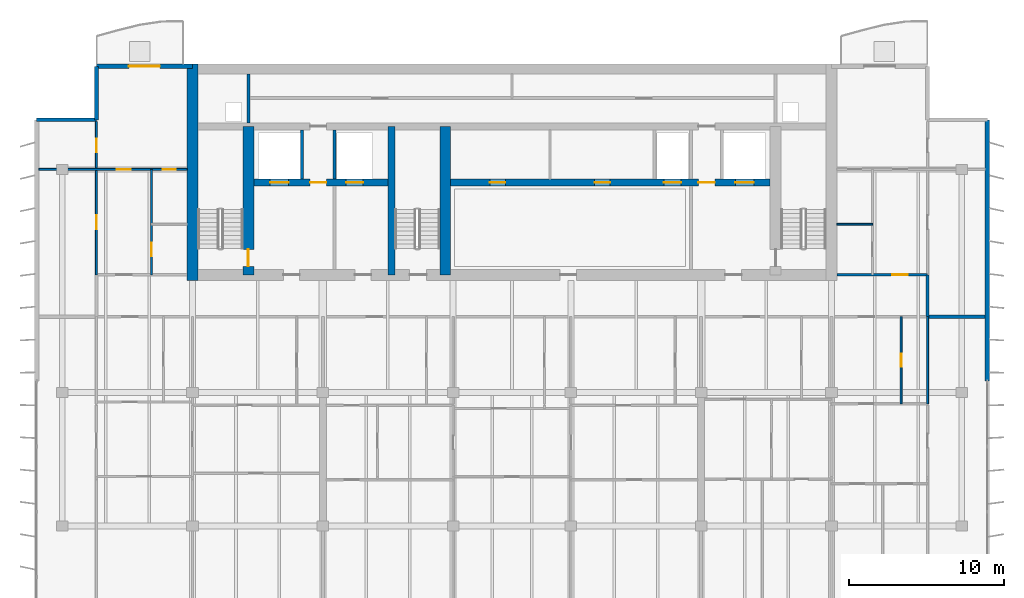
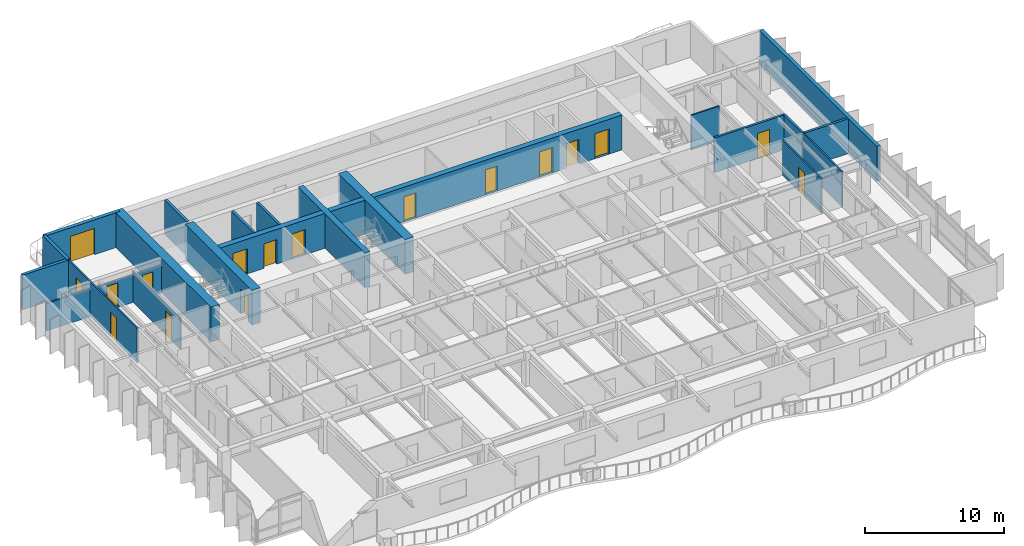
# One storey, part 11 of 19: 21 walls, 17 doors, 17 openings.
"""IFC4 building model written with IfcOpenShell, lengths in metres."""

from ifc_helpers import new_model, si_unit, direction, frame, frame_2d, origin, place, context, subcontext, project, spatial, rectangle, extrude, material, layer, layer_set, type_object, element, fill, save


model = new_model("IFC4")

# Units and contexts
model_context = context("Model", 3, precision=1e-05, world=origin(), true_north=direction((0.0, 1.0)))
body_context = subcontext(model_context, "Body", "Model", "MODEL_VIEW")
ifc_project = project(units=[si_unit("LENGTHUNIT", "METRE"), si_unit("AREAUNIT", "SQUARE_METRE"), si_unit("VOLUMEUNIT", "CUBIC_METRE"), si_unit("PLANEANGLEUNIT", "RADIAN"), si_unit("MASSUNIT", "GRAM", prefix="KILO")], contexts=[model_context])

# Site, building, storey
site_placement = place(None, origin())
site = spatial("IfcSite", under=ifc_project, at=site_placement, CompositionType="ELEMENT")
building_placement = place(site_placement, origin())
building = spatial("IfcBuilding", under=site, at=building_placement, Name="Caelmar Bay Residences", CompositionType="ELEMENT")
storey_placement = place(building_placement, frame((0.0, 0.0, 256.199951171875)))
storey = spatial("IfcBuildingStorey", under=building, at=storey_placement, Name="L72", CompositionType="ELEMENT", Elevation=256.199951171875)

# Wall
ifc_material_1 = material(Name="Concrete f'c 55 MPa (8,000 psi)", Category="concrete")
ifc_layer_1 = layer(ifc_material_1, 0.699951171875)
ifc_layer_set_1 = layer_set([ifc_layer_1], Name="Concrete f'c 55 MPa (8,000 psi)")
wall_type_1 = type_object("IfcWallType", Name="SW-COR-700", PredefinedType="SHEAR", material=ifc_layer_set_1)
wall_1_placement = place(storey_placement, frame((18.300048828125, 36.64990234375, 0.0), z_axis=(0.0, 0.0, 1.0), x_axis=(0.0, 1.0, 0.0)))
element("IfcWall", 1, at=wall_1_placement, inside=storey, type_object=wall_type_1, Name="L72 Rear Core West Shear Wall", PredefinedType="SHEAR", context=body_context, shape_type="SweptSolid", body=[
    extrude(rectangle(XDim=13.9501953125, YDim=0.699951171875, at=frame_2d((6.97509765625, 0.0))), origin(), (0.0, 0.0, 1.0), 3.050048828125),
])

# Wall, opening, door
wall_2_placement = place(storey_placement, frame((21.89990234375, 37.0, 0.0), z_axis=(0.0, 0.0, 1.0), x_axis=(0.0, 1.0, 0.0)))
wall_2 = element("IfcWall", 2, at=wall_2_placement, inside=storey, type_object=wall_type_1, Name="L72 Core Structural Web Wall ST1E", PredefinedType="SHEAR", context=body_context, shape_type="SweptSolid", body=[
    extrude(rectangle(XDim=9.574951171875, YDim=0.699951171875, at=frame_2d((4.78759765625, 0.0))), origin(), (0.0, 0.0, 1.0), 3.050048828125),
])
opening_1_placement = place(wall_2_placement, frame((0.550048828125, 0.0, 0.0)))
opening_1 = element("IfcOpeningElement", 3, at=opening_1_placement, cuts=wall_2, Name="Opening D-L72-107", PredefinedType="OPENING", context=body_context, shape_type="SweptSolid", body=[
    extrude(rectangle(XDim=1.10009765625, YDim=2.14990234375, at=frame_2d((0.550048828125, 1.074951171875))), frame((0.0, 0.35986328125, 0.0), z_axis=(0.0, -1.0, 0.0), x_axis=(1.0, 0.0, 0.0)), (0.0, 0.0, 1.0), 0.719970703125),
])
ifc_material_2 = material(Name="Fire-rated steel and walnut architectural door assembly", Category="steel")
ifc_layer_2 = layer(ifc_material_2, 0.050048828125)
ifc_layer_set_2 = layer_set([ifc_layer_2], Name="Fire-rated steel and walnut architectural door assembly")
door_type_1 = type_object("IfcDoorType", Name="D-STAIR-1100", OperationType="NOTDEFINED", PredefinedType="DOOR", material=ifc_layer_set_2)
door_1_placement = place(opening_1_placement, origin())
door_1 = element("IfcDoor", 4, at=door_1_placement, inside=storey, type_object=door_type_1, Name="L72 Firefighting Lobby West Door", OperationType="SINGLE_SWING_LEFT", OverallHeight=2.14990234375, OverallWidth=1.10009765625, PredefinedType="DOOR", context=body_context, shape_type="SweptSolid", body=[
    extrude(rectangle(XDim=1.10009765625, YDim=2.14990234375, at=frame_2d((0.550048828125, 1.074951171875))), frame((0.0, 0.02490234375, 0.0), z_axis=(0.0, -1.0, 0.0), x_axis=(1.0, 0.0, 0.0)), (0.0, 0.0, 1.0), 0.050048828125),
])
fill(opening_1, door_1)

# Walls
wall_3_placement = place(storey_placement, frame((34.60009765625, 37.0, 0.0), z_axis=(0.0, 0.0, 1.0), x_axis=(0.0, 1.0, 0.0)))
element("IfcWall", 5, at=wall_3_placement, inside=storey, type_object=wall_type_1, Name="L72 Core Structural Web Wall ST3E", PredefinedType="SHEAR", context=body_context, shape_type="SweptSolid", body=[
    extrude(rectangle(XDim=9.574951171875, YDim=0.699951171875, at=frame_2d((4.78759765625, 0.0))), origin(), (0.0, 0.0, 1.0), 3.050048828125),
])
ifc_material_3 = material(Name="Concrete f'c 70 MPa (10,000 psi)", Category="concrete")
ifc_layer_3 = layer(ifc_material_3, 0.449951171875)
ifc_layer_set_3 = layer_set([ifc_layer_3], Name="Concrete f'c 70 MPa (10,000 psi)")
wall_type_2 = type_object("IfcWallType", Name="SW-WEB-450", PredefinedType="SHEAR", material=ifc_layer_set_3)
wall_4_placement = place(storey_placement, frame((31.125, 37.0, 0.0), z_axis=(0.0, 0.0, 1.0), x_axis=(0.0, 1.0, 0.0)))
element("IfcWall", 6, at=wall_4_placement, inside=storey, type_object=wall_type_2, Name="L72 Core Structural Web Wall ST3W", PredefinedType="SHEAR", context=body_context, shape_type="SweptSolid", body=[
    extrude(rectangle(XDim=9.574951171875, YDim=0.449951171875, at=frame_2d((4.78759765625, 0.0))), origin(), (0.0, 0.0, 1.0), 3.050048828125),
])

# Wall, openings, doors
wall_5_placement = place(storey_placement, frame((22.25, 42.949951171875, 0.0), z_axis=(0.0, 0.0, 1.0), x_axis=(1.0, 0.0, 0.0)))
wall_5 = element("IfcWall", 7, at=wall_5_placement, inside=storey, type_object=wall_type_2, Name="L72 Core Structural Web Wall LFR", PredefinedType="SHEAR", context=body_context, shape_type="SweptSolid", body=[
    extrude(rectangle(XDim=33.300048828125, YDim=0.449951171875, at=frame_2d((16.64990234375, 0.0))), origin(), (0.0, 0.0, 1.0), 3.050048828125),
])
opening_2_placement = place(wall_5_placement, frame((1.050048828125, 0.0, 0.0)))
opening_2 = element("IfcOpeningElement", 8, at=opening_2_placement, cuts=wall_5, Name="Opening LD2", PredefinedType="OPENING", context=body_context, shape_type="SweptSolid", body=[
    extrude(rectangle(XDim=1.199951171875, YDim=2.199951171875, at=frame_2d((0.60009765625, 1.10009765625))), frame((0.0, 0.23486328125, 0.0), z_axis=(0.0, -1.0, 0.0), x_axis=(1.0, 0.0, 0.0)), (0.0, 0.0, 1.0), 0.469970703125),
])
opening_3_placement = place(wall_5_placement, frame((31.050048828125, 0.0, 0.0)))
opening_3 = element("IfcOpeningElement", 9, at=opening_3_placement, cuts=wall_5, Name="Opening LD2", PredefinedType="OPENING", context=body_context, shape_type="SweptSolid", body=[
    extrude(rectangle(XDim=1.199951171875, YDim=2.199951171875, at=frame_2d((0.60009765625, 1.10009765625))), frame((0.0, 0.23486328125, 0.0), z_axis=(0.0, -1.0, 0.0), x_axis=(1.0, 0.0, 0.0)), (0.0, 0.0, 1.0), 0.469970703125),
])
opening_4_placement = place(wall_5_placement, frame((26.449951171875, 0.0, 0.0)))
opening_4 = element("IfcOpeningElement", 10, at=opening_4_placement, cuts=wall_5, Name="Opening LD1", PredefinedType="OPENING", context=body_context, shape_type="SweptSolid", body=[
    extrude(rectangle(XDim=1.10009765625, YDim=2.199951171875, at=frame_2d((0.550048828125, 1.10009765625))), frame((0.0, 0.23486328125, 0.0), z_axis=(0.0, -1.0, 0.0), x_axis=(1.0, 0.0, 0.0)), (0.0, 0.0, 1.0), 0.469970703125),
])
opening_5_placement = place(wall_5_placement, frame((5.949951171875, 0.0, 0.0)))
opening_5 = element("IfcOpeningElement", 11, at=opening_5_placement, cuts=wall_5, Name="Opening LD1", PredefinedType="OPENING", context=body_context, shape_type="SweptSolid", body=[
    extrude(rectangle(XDim=1.10009765625, YDim=2.199951171875, at=frame_2d((0.550048828125, 1.10009765625))), frame((0.0, 0.23486328125, 0.0), z_axis=(0.0, -1.0, 0.0), x_axis=(1.0, 0.0, 0.0)), (0.0, 0.0, 1.0), 0.469970703125),
])
opening_6_placement = place(wall_5_placement, frame((3.625, 0.0, 0.0)))
opening_6 = element("IfcOpeningElement", 12, at=opening_6_placement, cuts=wall_5, Name="Opening D-L72-108", PredefinedType="OPENING", context=body_context, shape_type="SweptSolid", body=[
    extrude(rectangle(XDim=1.050048828125, YDim=2.14990234375, at=frame_2d((0.52490234375, 1.074951171875))), frame((0.0, 0.23486328125, 0.0), z_axis=(0.0, -1.0, 0.0), x_axis=(1.0, 0.0, 0.0)), (0.0, 0.0, 1.0), 0.469970703125),
])
opening_7_placement = place(wall_5_placement, frame((28.675048828125, 0.0, 0.0)))
opening_7 = element("IfcOpeningElement", 13, at=opening_7_placement, cuts=wall_5, Name="Opening D-L72-111", PredefinedType="OPENING", context=body_context, shape_type="SweptSolid", body=[
    extrude(rectangle(XDim=1.050048828125, YDim=2.14990234375, at=frame_2d((0.52490234375, 1.074951171875))), frame((0.0, 0.23486328125, 0.0), z_axis=(0.0, -1.0, 0.0), x_axis=(1.0, 0.0, 0.0)), (0.0, 0.0, 1.0), 0.469970703125),
])
opening_8_placement = place(wall_5_placement, frame((15.22509765625, 0.0, 0.0)))
opening_8 = element("IfcOpeningElement", 14, at=opening_8_placement, cuts=wall_5, Name="Opening D-L72-114", PredefinedType="OPENING", context=body_context, shape_type="SweptSolid", body=[
    extrude(rectangle(XDim=1.0, YDim=2.199951171875, at=frame_2d((0.5, 1.10009765625))), frame((0.0, 0.23486328125, 0.0), z_axis=(0.0, -1.0, 0.0), x_axis=(1.0, 0.0, 0.0)), (0.0, 0.0, 1.0), 0.469970703125),
])
opening_9_placement = place(wall_5_placement, frame((21.97509765625, 0.0, 0.0)))
opening_9 = element("IfcOpeningElement", 15, at=opening_9_placement, cuts=wall_5, Name="Opening D-L72-115", PredefinedType="OPENING", context=body_context, shape_type="SweptSolid", body=[
    extrude(rectangle(XDim=1.0, YDim=2.199951171875, at=frame_2d((0.5, 1.10009765625))), frame((0.0, 0.23486328125, 0.0), z_axis=(0.0, -1.0, 0.0), x_axis=(1.0, 0.0, 0.0)), (0.0, 0.0, 1.0), 0.469970703125),
])
ifc_layer_4 = layer(ifc_material_2, 0.050048828125)
ifc_layer_set_4 = layer_set([ifc_layer_4], Name="Fire-rated steel and walnut architectural door assembly")
door_type_2 = type_object("IfcDoorType", Name="D-FSAE-1050", OperationType="NOTDEFINED", PredefinedType="DOOR", material=ifc_layer_set_4)
door_2_placement = place(opening_6_placement, origin())
door_2 = element("IfcDoor", 16, at=door_2_placement, inside=storey, type_object=door_type_2, Name="L72 Firefighting Lobby West Door", OperationType="SINGLE_SWING_RIGHT", OverallHeight=2.14990234375, OverallWidth=1.050048828125, PredefinedType="DOOR", context=body_context, shape_type="SweptSolid", body=[
    extrude(rectangle(XDim=1.050048828125, YDim=2.14990234375, at=frame_2d((0.52490234375, 1.074951171875))), frame((0.0, 0.02490234375, 0.0), z_axis=(0.0, -1.0, 0.0), x_axis=(1.0, 0.0, 0.0)), (0.0, 0.0, 1.0), 0.050048828125),
])
fill(opening_6, door_2)
door_3_placement = place(opening_7_placement, origin())
door_3 = element("IfcDoor", 17, at=door_3_placement, inside=storey, type_object=door_type_2, Name="L72 Firefighting Lobby East Door", OperationType="SINGLE_SWING_LEFT", OverallHeight=2.14990234375, OverallWidth=1.050048828125, PredefinedType="DOOR", context=body_context, shape_type="SweptSolid", body=[
    extrude(rectangle(XDim=1.050048828125, YDim=2.14990234375, at=frame_2d((0.52490234375, 1.074951171875))), frame((0.0, 0.02490234375, 0.0), z_axis=(0.0, -1.0, 0.0), x_axis=(1.0, 0.0, 0.0)), (0.0, 0.0, 1.0), 0.050048828125),
])
fill(opening_7, door_3)
ifc_material_4 = material(Name="Brushed bronze stainless-steel fire-rated lift landing doors", Category="steel")
ifc_layer_5 = layer(ifc_material_4, 0.050048828125)
ifc_layer_set_5 = layer_set([ifc_layer_5], Name="Brushed bronze stainless-steel fire-rated lift landing doors")
door_type_3 = type_object("IfcDoorType", Name="D-LND-1100", OperationType="DOUBLE_DOOR_SLIDING", PredefinedType="DOOR", material=ifc_layer_set_5)
door_4_placement = place(opening_4_placement, origin())
door_4 = element("IfcDoor", 18, at=door_4_placement, inside=storey, type_object=door_type_3, Name="L72 LP6 Sliding Landing Door", OperationType="DOUBLE_DOOR_SLIDING", OverallHeight=2.199951171875, OverallWidth=1.10009765625, PredefinedType="DOOR", context=body_context, shape_type="SweptSolid", body=[
    extrude(rectangle(XDim=1.10009765625, YDim=2.199951171875, at=frame_2d((0.550048828125, 1.10009765625))), frame((0.0, 0.02490234375, 0.0), z_axis=(0.0, -1.0, 0.0), x_axis=(1.0, 0.0, 0.0)), (0.0, 0.0, 1.0), 0.050048828125),
])
fill(opening_4, door_4)
door_5_placement = place(opening_5_placement, origin())
door_5 = element("IfcDoor", 19, at=door_5_placement, inside=storey, type_object=door_type_3, Name="L72 LP7 Sliding Landing Door", OperationType="DOUBLE_DOOR_SLIDING", OverallHeight=2.199951171875, OverallWidth=1.10009765625, PredefinedType="DOOR", context=body_context, shape_type="SweptSolid", body=[
    extrude(rectangle(XDim=1.10009765625, YDim=2.199951171875, at=frame_2d((0.550048828125, 1.10009765625))), frame((0.0, 0.02490234375, 0.0), z_axis=(0.0, -1.0, 0.0), x_axis=(1.0, 0.0, 0.0)), (0.0, 0.0, 1.0), 0.050048828125),
])
fill(opening_5, door_5)
ifc_material_5 = material(Name="Brushed stainless-steel FSAE sliding landing door", Category="steel")
ifc_layer_6 = layer(ifc_material_5, 0.050048828125)
ifc_layer_set_6 = layer_set([ifc_layer_6], Name="Brushed stainless-steel FSAE sliding landing door")
door_type_4 = type_object("IfcDoorType", Name="D-LND-1200", OperationType="DOUBLE_DOOR_SLIDING", PredefinedType="DOOR", material=ifc_layer_set_6)
door_6_placement = place(opening_2_placement, origin())
door_6 = element("IfcDoor", 20, at=door_6_placement, inside=storey, type_object=door_type_4, Name="L72 LF1 Sliding Landing Door", OperationType="DOUBLE_DOOR_SLIDING", OverallHeight=2.199951171875, OverallWidth=1.199951171875, PredefinedType="DOOR", context=body_context, shape_type="SweptSolid", body=[
    extrude(rectangle(XDim=1.199951171875, YDim=2.199951171875, at=frame_2d((0.60009765625, 1.10009765625))), frame((0.0, 0.02490234375, 0.0), z_axis=(0.0, -1.0, 0.0), x_axis=(1.0, 0.0, 0.0)), (0.0, 0.0, 1.0), 0.050048828125),
])
fill(opening_2, door_6)
door_7_placement = place(opening_3_placement, origin())
door_7 = element("IfcDoor", 21, at=door_7_placement, inside=storey, type_object=door_type_4, Name="L72 LF2 Sliding Landing Door", OperationType="DOUBLE_DOOR_SLIDING", OverallHeight=2.199951171875, OverallWidth=1.199951171875, PredefinedType="DOOR", context=body_context, shape_type="SweptSolid", body=[
    extrude(rectangle(XDim=1.199951171875, YDim=2.199951171875, at=frame_2d((0.60009765625, 1.10009765625))), frame((0.0, 0.02490234375, 0.0), z_axis=(0.0, -1.0, 0.0), x_axis=(1.0, 0.0, 0.0)), (0.0, 0.0, 1.0), 0.050048828125),
])
fill(opening_3, door_7)
ifc_layer_7 = layer(ifc_material_2, 0.050048828125)
ifc_layer_set_7 = layer_set([ifc_layer_7], Name="Fire-rated steel and walnut architectural door assembly")
door_type_5 = type_object("IfcDoorType", Name="D-UNIT-1000", OperationType="NOTDEFINED", PredefinedType="DOOR", material=ifc_layer_set_7)
door_8_placement = place(opening_8_placement, origin())
door_8 = element("IfcDoor", 22, at=door_8_placement, inside=storey, type_object=door_type_5, Name="L72 Collector Study Door", OperationType="SINGLE_SWING_RIGHT", OverallHeight=2.199951171875, OverallWidth=1.0, PredefinedType="DOOR", context=body_context, shape_type="SweptSolid", body=[
    extrude(rectangle(XDim=1.0, YDim=2.199951171875, at=frame_2d((0.5, 1.10009765625))), frame((0.0, 0.02490234375, 0.0), z_axis=(0.0, -1.0, 0.0), x_axis=(1.0, 0.0, 0.0)), (0.0, 0.0, 1.0), 0.050048828125),
])
fill(opening_8, door_8)
door_9_placement = place(opening_9_placement, origin())
door_9 = element("IfcDoor", 23, at=door_9_placement, inside=storey, type_object=door_type_5, Name="L72 Private Dining Room Door", OperationType="SINGLE_SWING_LEFT", OverallHeight=2.199951171875, OverallWidth=1.0, PredefinedType="DOOR", context=body_context, shape_type="SweptSolid", body=[
    extrude(rectangle(XDim=1.0, YDim=2.199951171875, at=frame_2d((0.5, 1.10009765625))), frame((0.0, 0.02490234375, 0.0), z_axis=(0.0, -1.0, 0.0), x_axis=(1.0, 0.0, 0.0)), (0.0, 0.0, 1.0), 0.050048828125),
])
fill(opening_9, door_9)

# Wall
ifc_material_6 = material(Name="Double-stud acoustic fire-rated gypsum partition 180 mm")
ifc_layer_8 = layer(ifc_material_6, 0.179931640625)
ifc_layer_set_8 = layer_set([ifc_layer_8], Name="Double-stud acoustic fire-rated gypsum partition 180 mm")
wall_type_3 = type_object("IfcWallType", Name="W-COR-200", PredefinedType="PARTITIONING", material=ifc_layer_set_8)
wall_6_placement = place(storey_placement, frame((65.699951171875, 34.304931640625, 0.0), z_axis=(0.0, 0.0, 1.0), x_axis=(0.0, 1.0, 0.0)))
element("IfcWall", 24, at=wall_6_placement, inside=storey, type_object=wall_type_3, Name="L72 Partition Wall V067", PredefinedType="PARTITIONING", context=body_context, shape_type="SweptSolid", body=[
    extrude(rectangle(XDim=2.695068359375, YDim=0.179931640625, at=frame_2d((1.34765625, 0.0))), origin(), (0.0, 0.0, 1.0), 3.050048828125),
])

# Wall, opening, door
wall_7_placement = place(storey_placement, frame((59.85498046875, 37.0, 0.0), z_axis=(0.0, 0.0, 1.0), x_axis=(1.0, 0.0, 0.0)))
wall_7 = element("IfcWall", 25, at=wall_7_placement, inside=storey, type_object=wall_type_3, Name="L72 Partition Wall H090", PredefinedType="PARTITIONING", context=body_context, shape_type="SweptSolid", body=[
    extrude(rectangle(XDim=5.844970703125, YDim=0.179931640625, at=frame_2d((2.92236328125, 0.0))), origin(), (0.0, 0.0, 1.0), 3.050048828125),
])
opening_10_placement = place(wall_7_placement, frame((3.570068359375, 0.0, 0.0)))
opening_10 = element("IfcOpeningElement", 26, at=opening_10_placement, cuts=wall_7, Name="Opening D-L72-164", PredefinedType="OPENING", context=body_context, shape_type="SweptSolid", body=[
    extrude(rectangle(XDim=1.0, YDim=2.199951171875, at=frame_2d((0.5, 1.10009765625))), frame((0.0, 0.099853515625, 0.0), z_axis=(0.0, -1.0, 0.0), x_axis=(1.0, 0.0, 0.0)), (0.0, 0.0, 1.0), 0.199951171875),
])
door_10_placement = place(opening_10_placement, origin())
door_10 = element("IfcDoor", 27, at=door_10_placement, inside=storey, type_object=door_type_5, Name="L72 Residence EA Kitchen Door", OperationType="SINGLE_SWING_RIGHT", OverallHeight=2.199951171875, OverallWidth=1.0, PredefinedType="DOOR", context=body_context, shape_type="SweptSolid", body=[
    extrude(rectangle(XDim=1.0, YDim=2.199951171875, at=frame_2d((0.5, 1.10009765625))), frame((0.0, 0.02490234375, 0.0), z_axis=(0.0, -1.0, 0.0), x_axis=(1.0, 0.0, 0.0)), (0.0, 0.0, 1.0), 0.050048828125),
])
fill(opening_10, door_10)

# Walls
ifc_material_7 = material(Name="Precast concrete f'c 40 MPa (6,000 psi)", Category="concrete")
ifc_layer_9 = layer(ifc_material_7, 0.25)
ifc_layer_set_9 = layer_set([ifc_layer_9], Name="Precast concrete f'c 40 MPa (6,000 psi)")
wall_type_4 = type_object("IfcWallType", Name="W-EXT-250", PredefinedType="ELEMENTEDWALL", material=ifc_layer_set_9)
wall_8_placement = place(storey_placement, frame((8.25, 47.0, 0.0), z_axis=(0.0, 0.0, 1.0), x_axis=(1.0, 0.0, 0.0)))
element("IfcWall", 28, at=wall_8_placement, inside=storey, type_object=wall_type_4, Name="L72 NNW-H Notch Wall", PredefinedType="ELEMENTEDWALL", context=body_context, shape_type="SweptSolid", body=[
    extrude(rectangle(XDim=3.85009765625, YDim=0.25, at=frame_2d((1.925048828125, 0.0))), origin(), (0.0, 0.0, 1.0), 3.050048828125),
])
wall_9_placement = place(storey_placement, frame((12.10009765625, 47.0, 0.0), z_axis=(0.0, 0.0, 1.0), x_axis=(0.0, 1.0, 0.0)))
element("IfcWall", 29, at=wall_9_placement, inside=storey, type_object=wall_type_4, Name="L72 NNW-V Notch Wall", PredefinedType="ELEMENTEDWALL", context=body_context, shape_type="SweptSolid", body=[
    extrude(rectangle(XDim=3.449951171875, YDim=0.25, at=frame_2d((1.72509765625, 0.0))), origin(), (0.0, 0.0, 1.0), 3.050048828125),
])
ifc_layer_10 = layer(ifc_material_7, 0.300048828125)
ifc_layer_set_10 = layer_set([ifc_layer_10], Name="Precast concrete f'c 40 MPa (6,000 psi)")
wall_type_5 = type_object("IfcWallType", Name="W-EXT-300", PredefinedType="STANDARD", material=ifc_layer_set_10)
wall_10_placement = place(storey_placement, frame((69.550048828125, 47.0, 0.0), z_axis=(0.0, 0.0, 1.0), x_axis=(0.0, -1.0, 0.0)))
element("IfcWall", 30, at=wall_10_placement, inside=storey, type_object=wall_type_5, Name="L72 East Rear Exterior Wall", PredefinedType="STANDARD", context=body_context, shape_type="SweptSolid", body=[
    extrude(rectangle(XDim=16.85009765625, YDim=0.300048828125, at=frame_2d((8.425048828125, 0.0))), origin(), (0.0, 0.0, 1.0), 3.050048828125),
])

# Wall, opening, door
wall_11_placement = place(storey_placement, frame((12.10009765625, 50.449951171875, 0.0), z_axis=(0.0, 0.0, 1.0), x_axis=(1.0, 0.0, 0.0)))
wall_11 = element("IfcWall", 31, at=wall_11_placement, inside=storey, type_object=wall_type_5, Name="L72 North-West Wing Exterior Wall", PredefinedType="STANDARD", context=body_context, shape_type="SweptSolid", body=[
    extrude(rectangle(XDim=6.199951171875, YDim=0.300048828125, at=frame_2d((3.10009765625, 0.0))), origin(), (0.0, 0.0, 1.0), 3.050048828125),
])
opening_11_placement = place(wall_11_placement, frame((2.10009765625, 0.0, 0.0)))
opening_11 = element("IfcOpeningElement", 32, at=opening_11_placement, cuts=wall_11, Name="Opening L72-BDNW", PredefinedType="OPENING", context=body_context, shape_type="SweptSolid", body=[
    extrude(rectangle(XDim=2.0, YDim=2.300048828125, at=frame_2d((1.0, 1.14990234375))), frame((0.0, 0.159912109375, 0.0), z_axis=(0.0, -1.0, 0.0), x_axis=(1.0, 0.0, 0.0)), (0.0, 0.0, 1.0), 0.320068359375),
])
ifc_material_8 = material(Name="Anodised bronze thermally broken sliding glass door", Category="glass")
ifc_layer_11 = layer(ifc_material_8, 0.050048828125)
ifc_layer_set_11 = layer_set([ifc_layer_11], Name="Anodised bronze thermally broken sliding glass door")
door_type_6 = type_object("IfcDoorType", Name="D-BAL-2000", OperationType="DOUBLE_DOOR_SLIDING", PredefinedType="DOOR", material=ifc_layer_set_11)
door_11_placement = place(opening_11_placement, origin())
door_11 = element("IfcDoor", 33, at=door_11_placement, inside=storey, type_object=door_type_6, Name="L72 North-West Balcony Door", OperationType="DOUBLE_DOOR_SLIDING", OverallHeight=2.300048828125, OverallWidth=2.0, PredefinedType="DOOR", context=body_context, shape_type="SweptSolid", body=[
    extrude(rectangle(XDim=2.0, YDim=2.300048828125, at=frame_2d((1.0, 1.14990234375))), frame((0.0, 0.02490234375, 0.0), z_axis=(0.0, -1.0, 0.0), x_axis=(1.0, 0.0, 0.0)), (0.0, 0.0, 1.0), 0.050048828125),
])
fill(opening_11, door_11)

# Walls
ifc_material_9 = material(Name="Fire-rated masonry and gypsum shaftliner assembly 200 mm", Category="masonry")
ifc_layer_12 = layer(ifc_material_9, 0.199951171875)
ifc_layer_set_12 = layer_set([ifc_layer_12], Name="Fire-rated masonry and gypsum shaftliner assembly 200 mm")
wall_type_6 = type_object("IfcWallType", Name="W-FSAE-200", PredefinedType="PARTITIONING", material=ifc_layer_set_12)
wall_12_placement = place(storey_placement, frame((21.89990234375, 46.794921875, 0.0), z_axis=(0.0, 0.0, 1.0), x_axis=(0.0, 1.0, 0.0)))
element("IfcWall", 34, at=wall_12_placement, inside=storey, type_object=wall_type_6, Name="L72 Partition Wall V014", PredefinedType="PARTITIONING", context=body_context, shape_type="SweptSolid", body=[
    extrude(rectangle(XDim=3.16015625, YDim=0.199951171875, at=frame_2d((1.580078125, 0.0))), origin(), (0.0, 0.0, 1.0), 3.050048828125),
])
for number, where, z_axis, x_axis, name in (
    (35, (25.35009765625, 43.169921875, 0.0), (0.0, 0.0, 1.0), (0.0, 1.0, 0.0), "L72 Partition Wall V016"),
    (36, (27.449951171875, 43.169921875, 0.0), (0.0, 0.0, 1.0), (0.0, 1.0, 0.0), "L72 Partition Wall V021"),
):
    element("IfcWall", number, at=place(storey_placement, frame(where, z_axis=z_axis, x_axis=x_axis)), inside=storey, type_object=wall_type_6, Name=name, PredefinedType="PARTITIONING", context=body_context, shape_type="SweptSolid", body=[
        extrude(rectangle(XDim=3.18505859375, YDim=0.199951171875, at=frame_2d((1.592529296875, 0.0))), origin(), (0.0, 0.0, 1.0), 3.050048828125),
    ])

# Wall, openings, doors
ifc_material_10 = material(Name="Acoustic metal-stud gypsum partition 120 mm")
ifc_layer_13 = layer(ifc_material_10, 0.1201171875)
ifc_layer_set_13 = layer_set([ifc_layer_13], Name="Acoustic metal-stud gypsum partition 120 mm")
wall_type_7 = type_object("IfcWallType", Name="W-PRT-120", PredefinedType="PARTITIONING", material=ifc_layer_set_13)
wall_13_placement = place(storey_placement, frame((12.10009765625, 37.0048828125, 0.0), z_axis=(0.0, 0.0, 1.0), x_axis=(0.0, 1.0, 0.0)))
wall_13 = element("IfcWall", 37, at=wall_13_placement, inside=storey, type_object=wall_type_7, Name="L72 Partition Wall V006", PredefinedType="PARTITIONING", context=body_context, shape_type="SweptSolid", body=[
    extrude(rectangle(XDim=9.875, YDim=0.1201171875, at=frame_2d((4.9375, 0.0))), origin(), (0.0, 0.0, 1.0), 3.050048828125),
])
opening_12_placement = place(wall_13_placement, frame((2.947509765625, 0.0, 0.0)))
opening_12 = element("IfcOpeningElement", 38, at=opening_12_placement, cuts=wall_13, Name="Opening D-L72-162", PredefinedType="OPENING", context=body_context, shape_type="SweptSolid", body=[
    extrude(rectangle(XDim=0.89990234375, YDim=2.14990234375, at=frame_2d((0.449951171875, 1.074951171875))), frame((0.0, 0.070068359375, 0.0), z_axis=(0.0, -1.0, 0.0), x_axis=(1.0, 0.0, 0.0)), (0.0, 0.0, 1.0), 0.14013671875),
])
opening_13_placement = place(wall_13_placement, frame((7.885009765625, 0.0, 0.0)))
opening_13 = element("IfcOpeningElement", 39, at=opening_13_placement, cuts=wall_13, Name="Opening D-L72-163", PredefinedType="OPENING", context=body_context, shape_type="SweptSolid", body=[
    extrude(rectangle(XDim=0.89990234375, YDim=2.14990234375, at=frame_2d((0.449951171875, 1.074951171875))), frame((0.0, 0.070068359375, 0.0), z_axis=(0.0, -1.0, 0.0), x_axis=(1.0, 0.0, 0.0)), (0.0, 0.0, 1.0), 0.14013671875),
])
ifc_material_11 = material(Name="Solid walnut timber interior door leaf and frame", Category="wood")
ifc_layer_14 = layer(ifc_material_11, 0.050048828125)
ifc_layer_set_14 = layer_set([ifc_layer_14], Name="Solid walnut timber interior door leaf and frame")
door_type_7 = type_object("IfcDoorType", Name="D-ROOM-900", OperationType="NOTDEFINED", PredefinedType="DOOR", material=ifc_layer_set_14)
door_12_placement = place(opening_12_placement, origin())
door_12 = element("IfcDoor", 40, at=door_12_placement, inside=storey, type_object=door_type_7, Name="L72 Residence WA Sun Study Door", OperationType="SINGLE_SWING_RIGHT", OverallHeight=2.14990234375, OverallWidth=0.89990234375, PredefinedType="DOOR", context=body_context, shape_type="SweptSolid", body=[
    extrude(rectangle(XDim=0.89990234375, YDim=2.14990234375, at=frame_2d((0.449951171875, 1.074951171875))), frame((0.0, 0.02490234375, 0.0), z_axis=(0.0, -1.0, 0.0), x_axis=(1.0, 0.0, 0.0)), (0.0, 0.0, 1.0), 0.050048828125),
])
fill(opening_12, door_12)
door_13_placement = place(opening_13_placement, origin())
door_13 = element("IfcDoor", 41, at=door_13_placement, inside=storey, type_object=door_type_7, Name="L72 Residence WA North Sitting Alcove Door", OperationType="SINGLE_SWING_LEFT", OverallHeight=2.14990234375, OverallWidth=0.89990234375, PredefinedType="DOOR", context=body_context, shape_type="SweptSolid", body=[
    extrude(rectangle(XDim=0.89990234375, YDim=2.14990234375, at=frame_2d((0.449951171875, 1.074951171875))), frame((0.0, 0.02490234375, 0.0), z_axis=(0.0, -1.0, 0.0), x_axis=(1.0, 0.0, 0.0)), (0.0, 0.0, 1.0), 0.050048828125),
])
fill(opening_13, door_13)

# Wall, opening, door
wall_14_placement = place(storey_placement, frame((15.64990234375, 37.0, 0.0), z_axis=(0.0, 0.0, 1.0), x_axis=(0.0, 1.0, 0.0)))
wall_14 = element("IfcWall", 42, at=wall_14_placement, inside=storey, type_object=wall_type_7, Name="L72 Partition Wall V007", PredefinedType="PARTITIONING", context=body_context, shape_type="SweptSolid", body=[
    extrude(rectangle(XDim=6.800048828125, YDim=0.1201171875, at=frame_2d((3.39990234375, 0.0))), origin(), (0.0, 0.0, 1.0), 2.72509765625),
])
opening_14_placement = place(wall_14_placement, frame((1.20703125, 0.0, 0.0)))
opening_14 = element("IfcOpeningElement", 43, at=opening_14_placement, cuts=wall_14, Name="Opening D-L72-160", PredefinedType="OPENING", context=body_context, shape_type="SweptSolid", body=[
    extrude(rectangle(XDim=0.85009765625, YDim=2.10009765625, at=frame_2d((0.425048828125, 1.050048828125))), frame((0.0, 0.070068359375, 0.0), z_axis=(0.0, -1.0, 0.0), x_axis=(1.0, 0.0, 0.0)), (0.0, 0.0, 1.0), 0.14013671875),
])
ifc_layer_15 = layer(ifc_material_11, 0.050048828125)
ifc_layer_set_15 = layer_set([ifc_layer_15], Name="Solid walnut timber interior door leaf and frame")
door_type_8 = type_object("IfcDoorType", Name="D-BATH-850", OperationType="NOTDEFINED", PredefinedType="DOOR", material=ifc_layer_set_15)
door_14_placement = place(opening_14_placement, origin())
door_14 = element("IfcDoor", 44, at=door_14_placement, inside=storey, type_object=door_type_8, Name="L72 Residence WA Walk-In Closet Door", OperationType="SINGLE_SWING_RIGHT", OverallHeight=2.10009765625, OverallWidth=0.85009765625, PredefinedType="DOOR", context=body_context, shape_type="SweptSolid", body=[
    extrude(rectangle(XDim=0.85009765625, YDim=2.10009765625, at=frame_2d((0.425048828125, 1.050048828125))), frame((0.0, 0.02490234375, 0.0), z_axis=(0.0, -1.0, 0.0), x_axis=(1.0, 0.0, 0.0)), (0.0, 0.0, 1.0), 0.050048828125),
])
fill(opening_14, door_14)

wall_15_placement = place(storey_placement, frame((63.991943359375, 28.679931640625, 0.0), z_axis=(0.0, 0.0, 1.0), x_axis=(0.0, 1.0, 0.0)))
wall_15 = element("IfcWall", 45, at=wall_15_placement, inside=storey, type_object=wall_type_7, Name="L72 Partition Wall V062", PredefinedType="PARTITIONING", context=body_context, shape_type="SweptSolid", body=[
    extrude(rectangle(XDim=5.6201171875, YDim=0.1201171875, at=frame_2d((2.81005859375, 0.0))), origin(), (0.0, 0.0, 1.0), 3.050048828125),
])
opening_15_placement = place(wall_15_placement, frame((2.385009765625, 0.0, 0.0)))
opening_15 = element("IfcOpeningElement", 46, at=opening_15_placement, cuts=wall_15, Name="Opening D-L72-152", PredefinedType="OPENING", context=body_context, shape_type="SweptSolid", body=[
    extrude(rectangle(XDim=0.85009765625, YDim=2.10009765625, at=frame_2d((0.425048828125, 1.050048828125))), frame((0.0, 0.070068359375, 0.0), z_axis=(0.0, -1.0, 0.0), x_axis=(1.0, 0.0, 0.0)), (0.0, 0.0, 1.0), 0.14013671875),
])
door_15_placement = place(opening_15_placement, origin())
door_15 = element("IfcDoor", 47, at=door_15_placement, inside=storey, type_object=door_type_8, Name="L72 Residence 04 Bathroom Door", OperationType="SINGLE_SWING_RIGHT", OverallHeight=2.10009765625, OverallWidth=0.85009765625, PredefinedType="DOOR", context=body_context, shape_type="SweptSolid", body=[
    extrude(rectangle(XDim=0.85009765625, YDim=2.10009765625, at=frame_2d((0.425048828125, 1.050048828125))), frame((0.0, 0.02490234375, 0.0), z_axis=(0.0, -1.0, 0.0), x_axis=(1.0, 0.0, 0.0)), (0.0, 0.0, 1.0), 0.050048828125),
])
fill(opening_15, door_15)

# Walls
wall_16_placement = place(storey_placement, frame((65.699951171875, 28.679931640625, 0.0), z_axis=(0.0, 0.0, 1.0), x_axis=(0.0, 1.0, 0.0)))
element("IfcWall", 48, at=wall_16_placement, inside=storey, type_object=wall_type_7, Name="L72 Partition Wall V066", PredefinedType="PARTITIONING", context=body_context, shape_type="SweptSolid", body=[
    extrude(rectangle(XDim=5.6201171875, YDim=0.1201171875, at=frame_2d((2.81005859375, 0.0))), origin(), (0.0, 0.0, 1.0), 3.050048828125),
])
wall_17_placement = place(storey_placement, frame((59.844970703125, 40.263916015625, 0.0), z_axis=(0.0, 0.0, 1.0), x_axis=(1.0, 0.0, 0.0)))
element("IfcWall", 49, at=wall_17_placement, inside=storey, type_object=wall_type_7, Name="L72 Partition Wall H092", PredefinedType="PARTITIONING", context=body_context, shape_type="SweptSolid", body=[
    extrude(rectangle(XDim=2.304931640625, YDim=0.1201171875, at=frame_2d((1.15234375, 0.0))), origin(), (0.0, 0.0, 1.0), 3.050048828125),
])

# Wall, openings, doors
wall_18_placement = place(storey_placement, frame((8.39501953125, 43.800048828125, 0.0), z_axis=(0.0, 0.0, 1.0), x_axis=(1.0, 0.0, 0.0)))
wall_18 = element("IfcWall", 50, at=wall_18_placement, inside=storey, type_object=wall_type_7, Name="L72 Partition Wall H093", PredefinedType="PARTITIONING", context=body_context, shape_type="SweptSolid", body=[
    extrude(rectangle(XDim=9.56005859375, YDim=0.1201171875, at=frame_2d((4.780029296875, 0.0))), origin(), (0.0, 0.0, 1.0), 2.41796875),
])
opening_16_placement = place(wall_18_placement, frame((5.030029296875, 0.0, 0.0)))
opening_16 = element("IfcOpeningElement", 51, at=opening_16_placement, cuts=wall_18, Name="Opening D-L72-159", PredefinedType="OPENING", context=body_context, shape_type="SweptSolid", body=[
    extrude(rectangle(XDim=0.89990234375, YDim=2.14990234375, at=frame_2d((0.449951171875, 1.074951171875))), frame((0.0, 0.070068359375, 0.0), z_axis=(0.0, -1.0, 0.0), x_axis=(1.0, 0.0, 0.0)), (0.0, 0.0, 1.0), 0.14013671875),
])
opening_17_placement = place(wall_18_placement, frame((7.982421875, 0.0, 0.0)))
opening_17 = element("IfcOpeningElement", 52, at=opening_17_placement, cuts=wall_18, Name="Opening D-L72-161", PredefinedType="OPENING", context=body_context, shape_type="SweptSolid", body=[
    extrude(rectangle(XDim=0.85009765625, YDim=2.10009765625, at=frame_2d((0.425048828125, 1.050048828125))), frame((0.0, 0.070068359375, 0.0), z_axis=(0.0, -1.0, 0.0), x_axis=(1.0, 0.0, 0.0)), (0.0, 0.0, 1.0), 0.14013671875),
])
door_16_placement = place(opening_17_placement, origin())
door_16 = element("IfcDoor", 53, at=door_16_placement, inside=storey, type_object=door_type_8, Name="L72 Residence WA Bathroom Door", OperationType="SINGLE_SWING_LEFT", OverallHeight=2.10009765625, OverallWidth=0.85009765625, PredefinedType="DOOR", context=body_context, shape_type="SweptSolid", body=[
    extrude(rectangle(XDim=0.85009765625, YDim=2.10009765625, at=frame_2d((0.425048828125, 1.050048828125))), frame((0.0, 0.02490234375, 0.0), z_axis=(0.0, -1.0, 0.0), x_axis=(1.0, 0.0, 0.0)), (0.0, 0.0, 1.0), 0.050048828125),
])
fill(opening_17, door_16)
door_17_placement = place(opening_16_placement, origin())
door_17 = element("IfcDoor", 54, at=door_17_placement, inside=storey, type_object=door_type_7, Name="L72 Residence WA Studio Living and Sleeping Room Door", OperationType="SINGLE_SWING_LEFT", OverallHeight=2.14990234375, OverallWidth=0.89990234375, PredefinedType="DOOR", context=body_context, shape_type="SweptSolid", body=[
    extrude(rectangle(XDim=0.89990234375, YDim=2.14990234375, at=frame_2d((0.449951171875, 1.074951171875))), frame((0.0, 0.02490234375, 0.0), z_axis=(0.0, -1.0, 0.0), x_axis=(1.0, 0.0, 0.0)), (0.0, 0.0, 1.0), 0.050048828125),
])
fill(opening_16, door_17)

# Wall
ifc_material_12 = material(Name="Acoustic twin-stud fire-rated inter-tenancy partition 200 mm")
ifc_layer_16 = layer(ifc_material_12, 0.199951171875)
ifc_layer_set_16 = layer_set([ifc_layer_16], Name="Acoustic twin-stud fire-rated inter-tenancy partition 200 mm")
wall_type_8 = type_object("IfcWallType", Name="W-PTY-200", PredefinedType="PARTITIONING", material=ifc_layer_set_16)
wall_19_placement = place(storey_placement, frame((65.705078125, 34.300048828125, 0.0), z_axis=(0.0, 0.0, 1.0), x_axis=(1.0, 0.0, 0.0)))
element("IfcWall", 55, at=wall_19_placement, inside=storey, type_object=wall_type_8, Name="L72 Partition Wall H088", PredefinedType="PARTITIONING", context=body_context, shape_type="SweptSolid", body=[
    extrude(rectangle(XDim=3.699951171875, YDim=0.199951171875, at=frame_2d((1.85009765625, 0.0))), origin(), (0.0, 0.0, 1.0), 3.050048828125),
])

save(model, "model.ifc")
